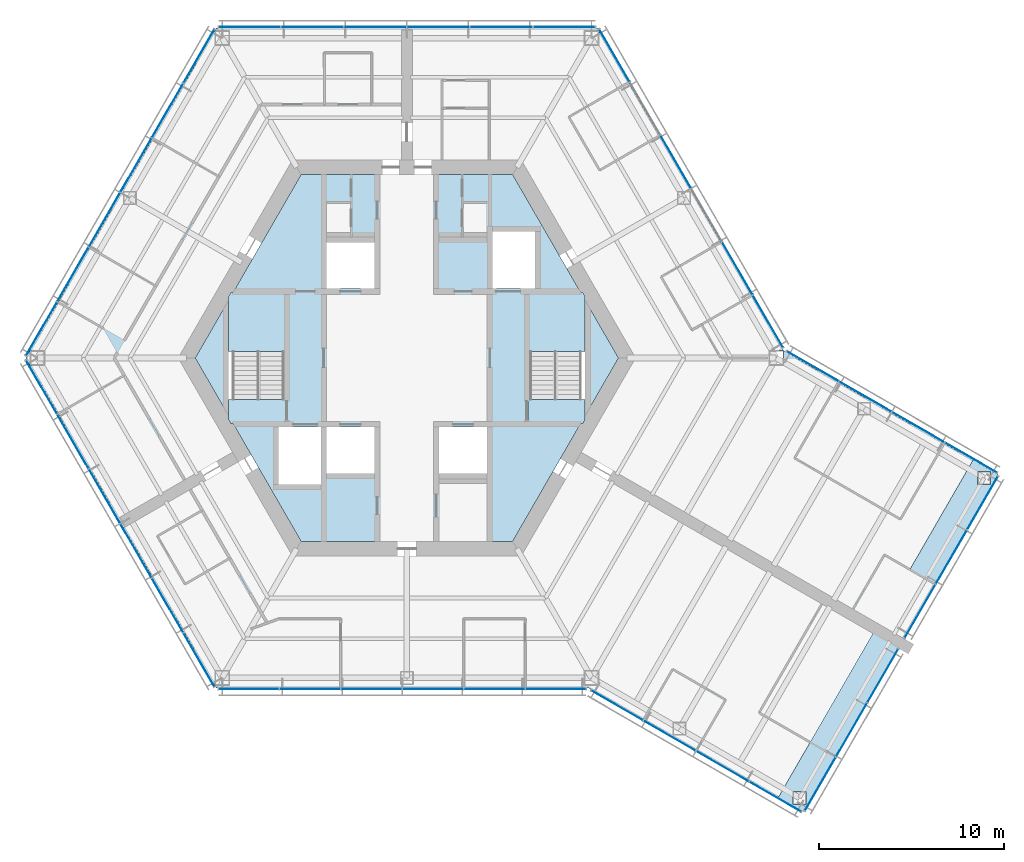
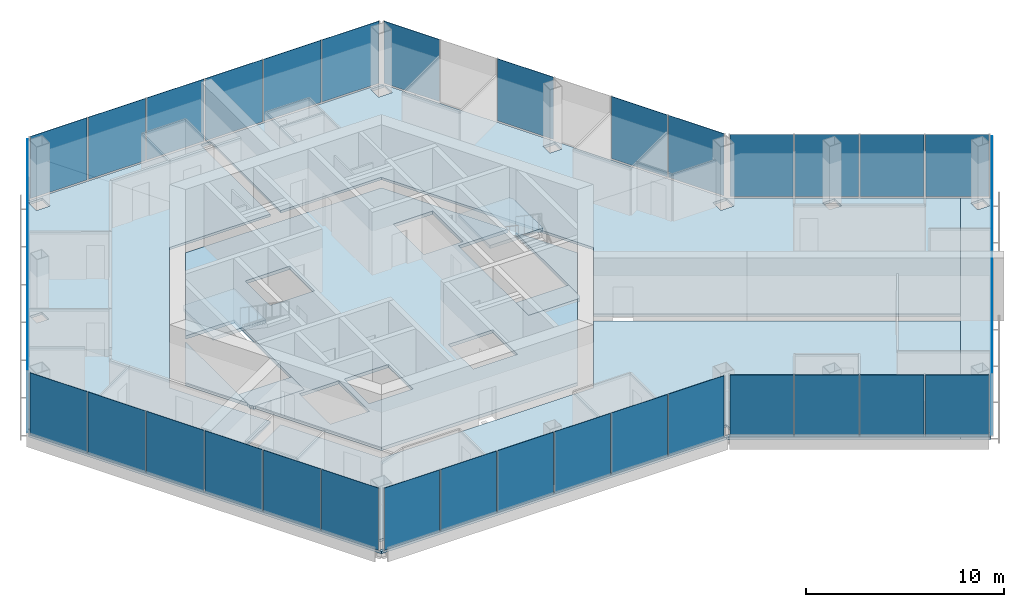
# One storey, part 8 of 16: 42 plates, 9 slabs, 11 elements without a shape of their own.
"""IFC4 building model written with IfcOpenShell, lengths in metres."""

from ifc_helpers import new_model, si_unit, direction, frame, origin, origin_2d, place, context, subcontext, project, spatial, polyline, rectangle, outline, extrude, material, layer, layer_set, type_object, element, aggregate, save


model = new_model("IFC4")

# Units and contexts
model_context = context("Model", 3, precision=1e-05, world=origin(), true_north=direction((0.0, 1.0)))
body_context = subcontext(model_context, "Body", "Model", "MODEL_VIEW")
ifc_project = project(units=[si_unit("LENGTHUNIT", "METRE"), si_unit("AREAUNIT", "SQUARE_METRE"), si_unit("VOLUMEUNIT", "CUBIC_METRE"), si_unit("PLANEANGLEUNIT", "RADIAN"), si_unit("MASSUNIT", "GRAM", prefix="KILO")], contexts=[model_context])

# Site, building, storey
site_placement = place(None, origin())
site = spatial("IfcSite", under=ifc_project, at=site_placement, CompositionType="ELEMENT")
building_placement = place(site_placement, origin())
building = spatial("IfcBuilding", under=site, at=building_placement, Name="Kasaneha Research Tower", CompositionType="ELEMENT")
storey_placement = place(building_placement, frame((0.0, 0.0, 247.89990234375)))
storey = spatial("IfcBuildingStorey", under=building, at=storey_placement, Name="L62", CompositionType="ELEMENT", Elevation=247.89990234375)

# Curtain wall, plates
ifc_material_1 = material(Name="Glass and aluminium", Category="aluminium")
curtain_wall_type = type_object("IfcCurtainWallType", Name="High-rise office curtain wall", PredefinedType="USERDEFINED", material=ifc_material_1)
curtain_wall_1_placement = place(storey_placement, origin())
curtain_wall_1 = element("IfcCurtainWall", 1, at=curtain_wall_1_placement, inside=storey, type_object=curtain_wall_type, Name="CW-O3 L62 run 01a", ObjectType="UNITISED CURTAIN WALL", PredefinedType="USERDEFINED")
ifc_material_2 = material(Name="Laminated double glazing", Category="glass")
ifc_layer_1 = layer(ifc_material_2, 0.02392578125)
ifc_layer_set_1 = layer_set([ifc_layer_1], Name="CW-O3 glazed panel")
plate_type = type_object("IfcPlateType", Name="CW-O3 glazed panel", PredefinedType="CURTAIN_PANEL", material=ifc_layer_set_1)
plate_1_placement = place(storey_placement, frame((19.549072265625, 1.981201171875, 0.06005859375), z_axis=(0.0, 0.0, 1.0), x_axis=(-0.499999979232, 0.866025415775, 0.0)))
plate_1 = element("IfcPlate", 2, at=plate_1_placement, type_object=plate_type, Name="CW-O3 panel 1", PredefinedType="CURTAIN_PANEL", context=body_context, shape_type="SweptSolid", body=[
    extrude(rectangle(XDim=3.240966796875, YDim=0.02392578125, at=origin_2d()), origin(), (0.0, 0.0, 1.0), 3.840087890625),
])
plate_2_placement = place(storey_placement, frame((17.89111328125, 4.852783203125, 0.06005859375), z_axis=(0.0, 0.0, 1.0), x_axis=(-0.499999979232, 0.866025415775, 0.0)))
plate_2 = element("IfcPlate", 3, at=plate_2_placement, type_object=plate_type, Name="CW-O3 panel 2", PredefinedType="CURTAIN_PANEL", context=body_context, shape_type="SweptSolid", body=[
    extrude(rectangle(XDim=3.27099609375, YDim=0.02392578125, at=origin_2d()), origin(), (0.0, 0.0, 1.0), 3.840087890625),
])
plate_3_placement = place(storey_placement, frame((14.56005859375, 10.622314453125, 0.06005859375), z_axis=(0.0, 0.0, 1.0), x_axis=(-0.499999979232, 0.866025415775, 0.0)))
plate_3 = element("IfcPlate", 4, at=plate_3_placement, type_object=plate_type, Name="CW-O3 panel 4", PredefinedType="CURTAIN_PANEL", context=body_context, shape_type="SweptSolid", body=[
    extrude(rectangle(XDim=3.27099609375, YDim=0.02392578125, at=origin_2d()), origin(), (0.0, 0.0, 1.0), 3.840087890625),
])
plate_4_placement = place(storey_placement, frame((11.236572265625, 16.378662109375, 0.06005859375), z_axis=(0.0, 0.0, 1.0), x_axis=(-0.499999979232, 0.866025415775, 0.0)))
plate_4 = element("IfcPlate", 5, at=plate_4_placement, type_object=plate_type, Name="CW-O3 panel 6", PredefinedType="CURTAIN_PANEL", context=body_context, shape_type="SweptSolid", body=[
    extrude(rectangle(XDim=3.240966796875, YDim=0.02392578125, at=origin_2d()), origin(), (0.0, 0.0, 1.0), 3.840087890625),
])
aggregate(curtain_wall_1, [plate_1, plate_2, plate_3, plate_4])

curtain_wall_2_placement = place(storey_placement, origin())
curtain_wall_2 = element("IfcCurtainWall", 6, at=curtain_wall_2_placement, inside=storey, type_object=curtain_wall_type, Name="CW-O3 L62 run 02a", ObjectType="UNITISED CURTAIN WALL", PredefinedType="USERDEFINED")
plate_5_placement = place(storey_placement, frame((8.523681640625, 17.92041015625, 0.06005859375), z_axis=(0.0, 0.0, 1.0), x_axis=(-1.0, 0.0, 0.0)))
plate_5 = element("IfcPlate", 7, at=plate_5_placement, type_object=plate_type, Name="CW-O3 panel 1", PredefinedType="CURTAIN_PANEL", context=body_context, shape_type="SweptSolid", body=[
    extrude(rectangle(XDim=3.325439453125, YDim=0.02392578125, at=origin_2d()), origin(), (0.0, 0.0, 1.0), 3.840087890625),
])
plate_6_placement = place(storey_placement, frame((5.123291015625, 17.92041015625, 0.06005859375), z_axis=(0.0, 0.0, 1.0), x_axis=(-1.0, 0.0, 0.0)))
plate_6 = element("IfcPlate", 8, at=plate_6_placement, type_object=plate_type, Name="CW-O3 panel 2", PredefinedType="CURTAIN_PANEL", context=body_context, shape_type="SweptSolid", body=[
    extrude(rectangle(XDim=3.35546875, YDim=0.02392578125, at=origin_2d()), origin(), (0.0, 0.0, 1.0), 3.840087890625),
])
plate_7_placement = place(storey_placement, frame((1.707763671875, 17.92041015625, 0.06005859375), z_axis=(0.0, 0.0, 1.0), x_axis=(-1.0, 0.0, 0.0)))
plate_7 = element("IfcPlate", 9, at=plate_7_placement, type_object=plate_type, Name="CW-O3 panel 3", PredefinedType="CURTAIN_PANEL", context=body_context, shape_type="SweptSolid", body=[
    extrude(rectangle(XDim=3.35546875, YDim=0.02392578125, at=origin_2d()), origin(), (0.0, 0.0, 1.0), 3.840087890625),
])
plate_8_placement = place(storey_placement, frame((-1.707763671875, 17.92041015625, 0.06005859375), z_axis=(0.0, 0.0, 1.0), x_axis=(-1.0, 0.0, 0.0)))
plate_8 = element("IfcPlate", 10, at=plate_8_placement, type_object=plate_type, Name="CW-O3 panel 4", PredefinedType="CURTAIN_PANEL", context=body_context, shape_type="SweptSolid", body=[
    extrude(rectangle(XDim=3.35546875, YDim=0.02392578125, at=origin_2d()), origin(), (0.0, 0.0, 1.0), 3.840087890625),
])
plate_9_placement = place(storey_placement, frame((-5.123291015625, 17.92041015625, 0.06005859375), z_axis=(0.0, 0.0, 1.0), x_axis=(-1.0, 0.0, 0.0)))
plate_9 = element("IfcPlate", 11, at=plate_9_placement, type_object=plate_type, Name="CW-O3 panel 5", PredefinedType="CURTAIN_PANEL", context=body_context, shape_type="SweptSolid", body=[
    extrude(rectangle(XDim=3.35546875, YDim=0.02392578125, at=origin_2d()), origin(), (0.0, 0.0, 1.0), 3.840087890625),
])
plate_10_placement = place(storey_placement, frame((-8.523681640625, 17.92041015625, 0.06005859375), z_axis=(0.0, 0.0, 1.0), x_axis=(-1.0, 0.0, 0.0)))
plate_10 = element("IfcPlate", 12, at=plate_10_placement, type_object=plate_type, Name="CW-O3 panel 6", PredefinedType="CURTAIN_PANEL", context=body_context, shape_type="SweptSolid", body=[
    extrude(rectangle(XDim=3.325439453125, YDim=0.02392578125, at=origin_2d()), origin(), (0.0, 0.0, 1.0), 3.840087890625),
])
aggregate(curtain_wall_2, [plate_5, plate_6, plate_7, plate_8, plate_9, plate_10])

curtain_wall_3_placement = place(storey_placement, origin())
curtain_wall_3 = element("IfcCurtainWall", 13, at=curtain_wall_3_placement, inside=storey, type_object=curtain_wall_type, Name="CW-O3 L62 run 03a", ObjectType="UNITISED CURTAIN WALL", PredefinedType="USERDEFINED")
plate_11_placement = place(storey_placement, frame((-11.2578125, 16.342041015625, 0.06005859375), z_axis=(0.0, 0.0, 1.0), x_axis=(-0.499999995722, -0.866025406254, 0.0)))
plate_11 = element("IfcPlate", 14, at=plate_11_placement, type_object=plate_type, Name="CW-O3 panel 1", PredefinedType="CURTAIN_PANEL", context=body_context, shape_type="SweptSolid", body=[
    extrude(rectangle(XDim=3.325439453125, YDim=0.02392578125, at=origin_2d()), origin(), (0.0, 0.0, 1.0), 3.840087890625),
])
plate_12_placement = place(storey_placement, frame((-12.9580078125, 13.39697265625, 0.06005859375), z_axis=(0.0, 0.0, 1.0), x_axis=(-0.499999995722, -0.866025406254, 0.0)))
plate_12 = element("IfcPlate", 15, at=plate_12_placement, type_object=plate_type, Name="CW-O3 panel 2", PredefinedType="CURTAIN_PANEL", context=body_context, shape_type="SweptSolid", body=[
    extrude(rectangle(XDim=3.35546875, YDim=0.02392578125, at=origin_2d()), origin(), (0.0, 0.0, 1.0), 3.840087890625),
])
plate_13_placement = place(storey_placement, frame((-14.665771484375, 10.439208984375, 0.06005859375), z_axis=(0.0, 0.0, 1.0), x_axis=(-0.499999995722, -0.866025406254, 0.0)))
plate_13 = element("IfcPlate", 16, at=plate_13_placement, type_object=plate_type, Name="CW-O3 panel 3", PredefinedType="CURTAIN_PANEL", context=body_context, shape_type="SweptSolid", body=[
    extrude(rectangle(XDim=3.35546875, YDim=0.02392578125, at=origin_2d()), origin(), (0.0, 0.0, 1.0), 3.840087890625),
])
plate_14_placement = place(storey_placement, frame((-16.37353515625, 7.481201171875, 0.06005859375), z_axis=(0.0, 0.0, 1.0), x_axis=(-0.499999995722, -0.866025406254, 0.0)))
plate_14 = element("IfcPlate", 17, at=plate_14_placement, type_object=plate_type, Name="CW-O3 panel 4", PredefinedType="CURTAIN_PANEL", context=body_context, shape_type="SweptSolid", body=[
    extrude(rectangle(XDim=3.35546875, YDim=0.02392578125, at=origin_2d()), origin(), (0.0, 0.0, 1.0), 3.840087890625),
])
plate_15_placement = place(storey_placement, frame((-18.081298828125, 4.5234375, 0.06005859375), z_axis=(0.0, 0.0, 1.0), x_axis=(-0.499999995722, -0.866025406254, 0.0)))
plate_15 = element("IfcPlate", 18, at=plate_15_placement, type_object=plate_type, Name="CW-O3 panel 5", PredefinedType="CURTAIN_PANEL", context=body_context, shape_type="SweptSolid", body=[
    extrude(rectangle(XDim=3.35546875, YDim=0.02392578125, at=origin_2d()), origin(), (0.0, 0.0, 1.0), 3.840087890625),
])
plate_16_placement = place(storey_placement, frame((-19.781494140625, 1.57861328125, 0.06005859375), z_axis=(0.0, 0.0, 1.0), x_axis=(-0.499999995722, -0.866025406254, 0.0)))
plate_16 = element("IfcPlate", 19, at=plate_16_placement, type_object=plate_type, Name="CW-O3 panel 6", PredefinedType="CURTAIN_PANEL", context=body_context, shape_type="SweptSolid", body=[
    extrude(rectangle(XDim=3.325439453125, YDim=0.02392578125, at=origin_2d()), origin(), (0.0, 0.0, 1.0), 3.840087890625),
])
aggregate(curtain_wall_3, [plate_11, plate_12, plate_13, plate_14, plate_15, plate_16])

curtain_wall_4_placement = place(storey_placement, origin())
curtain_wall_4 = element("IfcCurtainWall", 20, at=curtain_wall_4_placement, inside=storey, type_object=curtain_wall_type, Name="CW-O3 L62 run 04a", ObjectType="UNITISED CURTAIN WALL", PredefinedType="USERDEFINED")
plate_17_placement = place(storey_placement, frame((-19.781494140625, -1.57861328125, 0.06005859375), z_axis=(0.0, 0.0, 1.0), x_axis=(0.499999995722, -0.866025406254, 0.0)))
plate_17 = element("IfcPlate", 21, at=plate_17_placement, type_object=plate_type, Name="CW-O3 panel 1", PredefinedType="CURTAIN_PANEL", context=body_context, shape_type="SweptSolid", body=[
    extrude(rectangle(XDim=3.325439453125, YDim=0.02392578125, at=origin_2d()), origin(), (0.0, 0.0, 1.0), 3.840087890625),
])
plate_18_placement = place(storey_placement, frame((-18.081298828125, -4.5234375, 0.06005859375), z_axis=(0.0, 0.0, 1.0), x_axis=(0.499999995722, -0.866025406254, 0.0)))
plate_18 = element("IfcPlate", 22, at=plate_18_placement, type_object=plate_type, Name="CW-O3 panel 2", PredefinedType="CURTAIN_PANEL", context=body_context, shape_type="SweptSolid", body=[
    extrude(rectangle(XDim=3.35546875, YDim=0.02392578125, at=origin_2d()), origin(), (0.0, 0.0, 1.0), 3.840087890625),
])
plate_19_placement = place(storey_placement, frame((-16.37353515625, -7.481201171875, 0.06005859375), z_axis=(0.0, 0.0, 1.0), x_axis=(0.499999995722, -0.866025406254, 0.0)))
plate_19 = element("IfcPlate", 23, at=plate_19_placement, type_object=plate_type, Name="CW-O3 panel 3", PredefinedType="CURTAIN_PANEL", context=body_context, shape_type="SweptSolid", body=[
    extrude(rectangle(XDim=3.35546875, YDim=0.02392578125, at=origin_2d()), origin(), (0.0, 0.0, 1.0), 3.840087890625),
])
plate_20_placement = place(storey_placement, frame((-14.665771484375, -10.439208984375, 0.06005859375), z_axis=(0.0, 0.0, 1.0), x_axis=(0.499999995722, -0.866025406254, 0.0)))
plate_20 = element("IfcPlate", 24, at=plate_20_placement, type_object=plate_type, Name="CW-O3 panel 4", PredefinedType="CURTAIN_PANEL", context=body_context, shape_type="SweptSolid", body=[
    extrude(rectangle(XDim=3.35546875, YDim=0.02392578125, at=origin_2d()), origin(), (0.0, 0.0, 1.0), 3.840087890625),
])
plate_21_placement = place(storey_placement, frame((-12.9580078125, -13.39697265625, 0.06005859375), z_axis=(0.0, 0.0, 1.0), x_axis=(0.499999995722, -0.866025406254, 0.0)))
plate_21 = element("IfcPlate", 25, at=plate_21_placement, type_object=plate_type, Name="CW-O3 panel 5", PredefinedType="CURTAIN_PANEL", context=body_context, shape_type="SweptSolid", body=[
    extrude(rectangle(XDim=3.35546875, YDim=0.02392578125, at=origin_2d()), origin(), (0.0, 0.0, 1.0), 3.840087890625),
])
plate_22_placement = place(storey_placement, frame((-11.2578125, -16.342041015625, 0.06005859375), z_axis=(0.0, 0.0, 1.0), x_axis=(0.499999995722, -0.866025406254, 0.0)))
plate_22 = element("IfcPlate", 26, at=plate_22_placement, type_object=plate_type, Name="CW-O3 panel 6", PredefinedType="CURTAIN_PANEL", context=body_context, shape_type="SweptSolid", body=[
    extrude(rectangle(XDim=3.325439453125, YDim=0.02392578125, at=origin_2d()), origin(), (0.0, 0.0, 1.0), 3.840087890625),
])
aggregate(curtain_wall_4, [plate_17, plate_18, plate_19, plate_20, plate_21, plate_22])

curtain_wall_5_placement = place(storey_placement, origin())
curtain_wall_5 = element("IfcCurtainWall", 27, at=curtain_wall_5_placement, inside=storey, type_object=curtain_wall_type, Name="CW-O3 L62 run 05a", ObjectType="UNITISED CURTAIN WALL", PredefinedType="USERDEFINED")
plate_23_placement = place(storey_placement, frame((-8.56591796875, -17.92041015625, 0.06005859375), z_axis=(0.0, 0.0, 1.0), x_axis=(1.0, 0.0, 0.0)))
plate_23 = element("IfcPlate", 28, at=plate_23_placement, type_object=plate_type, Name="CW-O3 panel 1", PredefinedType="CURTAIN_PANEL", context=body_context, shape_type="SweptSolid", body=[
    extrude(rectangle(XDim=3.240966796875, YDim=0.02392578125, at=origin_2d()), origin(), (0.0, 0.0, 1.0), 3.840087890625),
])
plate_24_placement = place(storey_placement, frame((-5.25, -17.92041015625, 0.06005859375), z_axis=(0.0, 0.0, 1.0), x_axis=(1.0, 0.0, 0.0)))
plate_24 = element("IfcPlate", 29, at=plate_24_placement, type_object=plate_type, Name="CW-O3 panel 2", PredefinedType="CURTAIN_PANEL", context=body_context, shape_type="SweptSolid", body=[
    extrude(rectangle(XDim=3.27099609375, YDim=0.02392578125, at=origin_2d()), origin(), (0.0, 0.0, 1.0), 3.840087890625),
])
plate_25_placement = place(storey_placement, frame((-1.9189453125, -17.92041015625, 0.06005859375), z_axis=(0.0, 0.0, 1.0), x_axis=(1.0, 0.0, 0.0)))
plate_25 = element("IfcPlate", 30, at=plate_25_placement, type_object=plate_type, Name="CW-O3 panel 3", PredefinedType="CURTAIN_PANEL", context=body_context, shape_type="SweptSolid", body=[
    extrude(rectangle(XDim=3.27099609375, YDim=0.02392578125, at=origin_2d()), origin(), (0.0, 0.0, 1.0), 3.840087890625),
])
plate_26_placement = place(storey_placement, frame((1.411865234375, -17.92041015625, 0.06005859375), z_axis=(0.0, 0.0, 1.0), x_axis=(1.0, 0.0, 0.0)))
plate_26 = element("IfcPlate", 31, at=plate_26_placement, type_object=plate_type, Name="CW-O3 panel 4", PredefinedType="CURTAIN_PANEL", context=body_context, shape_type="SweptSolid", body=[
    extrude(rectangle(XDim=3.27099609375, YDim=0.02392578125, at=origin_2d()), origin(), (0.0, 0.0, 1.0), 3.840087890625),
])
plate_27_placement = place(storey_placement, frame((4.742919921875, -17.92041015625, 0.06005859375), z_axis=(0.0, 0.0, 1.0), x_axis=(1.0, 0.0, 0.0)))
plate_27 = element("IfcPlate", 32, at=plate_27_placement, type_object=plate_type, Name="CW-O3 panel 5", PredefinedType="CURTAIN_PANEL", context=body_context, shape_type="SweptSolid", body=[
    extrude(rectangle(XDim=3.27099609375, YDim=0.02392578125, at=origin_2d()), origin(), (0.0, 0.0, 1.0), 3.840087890625),
])
plate_28_placement = place(storey_placement, frame((8.058837890625, -17.92041015625, 0.06005859375), z_axis=(0.0, 0.0, 1.0), x_axis=(1.0, 0.0, 0.0)))
plate_28 = element("IfcPlate", 33, at=plate_28_placement, type_object=plate_type, Name="CW-O3 panel 6", PredefinedType="CURTAIN_PANEL", context=body_context, shape_type="SweptSolid", body=[
    extrude(rectangle(XDim=3.240966796875, YDim=0.02392578125, at=origin_2d()), origin(), (0.0, 0.0, 1.0), 3.840087890625),
])
aggregate(curtain_wall_5, [plate_23, plate_24, plate_25, plate_26, plate_27, plate_28])

curtain_wall_6_placement = place(storey_placement, origin())
curtain_wall_6 = element("IfcCurtainWall", 34, at=curtain_wall_6_placement, inside=storey, type_object=curtain_wall_type, Name="CW-O3 L62 run 06a", ObjectType="UNITISED CURTAIN WALL", PredefinedType="USERDEFINED")
plate_29_placement = place(storey_placement, frame((11.3720703125, -18.805419921875, 0.06005859375), z_axis=(0.0, 0.0, 1.0), x_axis=(0.866025411464, -0.499999986699, 0.0)))
plate_29 = element("IfcPlate", 35, at=plate_29_placement, type_object=plate_type, Name="CW-O3 panel 1", PredefinedType="CURTAIN_PANEL", context=body_context, shape_type="SweptSolid", body=[
    extrude(rectangle(XDim=3.2197265625, YDim=0.02392578125, at=origin_2d()), origin(), (0.0, 0.0, 1.0), 3.840087890625),
])
plate_30_placement = place(storey_placement, frame((14.225341796875, -20.452880859375, 0.06005859375), z_axis=(0.0, 0.0, 1.0), x_axis=(0.866025411464, -0.499999986699, 0.0)))
plate_30 = element("IfcPlate", 36, at=plate_30_placement, type_object=plate_type, Name="CW-O3 panel 2", PredefinedType="CURTAIN_PANEL", context=body_context, shape_type="SweptSolid", body=[
    extrude(rectangle(XDim=3.249755859375, YDim=0.02392578125, at=origin_2d()), origin(), (0.0, 0.0, 1.0), 3.840087890625),
])
plate_31_placement = place(storey_placement, frame((17.091796875, -22.107666015625, 0.06005859375), z_axis=(0.0, 0.0, 1.0), x_axis=(0.866025411464, -0.499999986699, 0.0)))
plate_31 = element("IfcPlate", 37, at=plate_31_placement, type_object=plate_type, Name="CW-O3 panel 3", PredefinedType="CURTAIN_PANEL", context=body_context, shape_type="SweptSolid", body=[
    extrude(rectangle(XDim=3.249755859375, YDim=0.02392578125, at=origin_2d()), origin(), (0.0, 0.0, 1.0), 3.840087890625),
])
plate_32_placement = place(storey_placement, frame((19.945068359375, -23.755126953125, 0.06005859375), z_axis=(0.0, 0.0, 1.0), x_axis=(0.866025411464, -0.499999986699, 0.0)))
plate_32 = element("IfcPlate", 38, at=plate_32_placement, type_object=plate_type, Name="CW-O3 panel 4", PredefinedType="CURTAIN_PANEL", context=body_context, shape_type="SweptSolid", body=[
    extrude(rectangle(XDim=3.2197265625, YDim=0.02392578125, at=origin_2d()), origin(), (0.0, 0.0, 1.0), 3.840087890625),
])
aggregate(curtain_wall_6, [plate_29, plate_30, plate_31, plate_32])

curtain_wall_7_placement = place(storey_placement, origin())
curtain_wall_7 = element("IfcCurtainWall", 39, at=curtain_wall_7_placement, inside=storey, type_object=curtain_wall_type, Name="CW-O3 L62 run 07a", ObjectType="UNITISED CURTAIN WALL", PredefinedType="USERDEFINED")
plate_33_placement = place(storey_placement, frame((22.385498046875, -23.068359375, 0.06005859375), z_axis=(0.0, 0.0, 1.0), x_axis=(0.500000011442, 0.866025397178, 0.0)))
plate_33 = element("IfcPlate", 40, at=plate_33_placement, type_object=plate_type, Name="CW-O3 panel 1", PredefinedType="CURTAIN_PANEL", context=body_context, shape_type="SweptSolid", body=[
    extrude(rectangle(XDim=3.31005859375, YDim=0.02392578125, at=origin_2d()), origin(), (0.0, 0.0, 1.0), 3.840087890625),
])
plate_34_placement = place(storey_placement, frame((24.077880859375, -20.13671875, 0.06005859375), z_axis=(0.0, 0.0, 1.0), x_axis=(0.500000011442, 0.866025397178, 0.0)))
plate_34 = element("IfcPlate", 41, at=plate_34_placement, type_object=plate_type, Name="CW-O3 panel 2", PredefinedType="CURTAIN_PANEL", context=body_context, shape_type="SweptSolid", body=[
    extrude(rectangle(XDim=3.340087890625, YDim=0.02392578125, at=origin_2d()), origin(), (0.0, 0.0, 1.0), 3.840087890625),
])
plate_35_placement = place(storey_placement, frame((25.7705078125, -17.205322265625, 0.06005859375), z_axis=(0.0, 0.0, 1.0), x_axis=(0.500000011442, 0.866025397178, 0.0)))
plate_35 = element("IfcPlate", 42, at=plate_35_placement, type_object=plate_type, Name="CW-O3 panel 3", PredefinedType="CURTAIN_PANEL", context=body_context, shape_type="SweptSolid", body=[
    extrude(rectangle(XDim=3.31005859375, YDim=0.02392578125, at=origin_2d()), origin(), (0.0, 0.0, 1.0), 3.840087890625),
])
aggregate(curtain_wall_7, [plate_33, plate_34, plate_35])

curtain_wall_8_placement = place(storey_placement, origin())
curtain_wall_8 = element("IfcCurtainWall", 43, at=curtain_wall_8_placement, inside=storey, type_object=curtain_wall_type, Name="CW-O3 L62 run 08a", ObjectType="UNITISED CURTAIN WALL", PredefinedType="USERDEFINED")
plate_36_placement = place(storey_placement, frame((27.785400390625, -13.71533203125, 0.06005859375), z_axis=(0.0, 0.0, 1.0), x_axis=(0.500000011442, 0.866025397178, 0.0)))
plate_36 = element("IfcPlate", 44, at=plate_36_placement, type_object=plate_type, Name="CW-O3 panel 1", PredefinedType="CURTAIN_PANEL", context=body_context, shape_type="SweptSolid", body=[
    extrude(rectangle(XDim=3.31005859375, YDim=0.02392578125, at=origin_2d()), origin(), (0.0, 0.0, 1.0), 3.840087890625),
])
plate_37_placement = place(storey_placement, frame((29.47802734375, -10.78369140625, 0.06005859375), z_axis=(0.0, 0.0, 1.0), x_axis=(0.500000011442, 0.866025397178, 0.0)))
plate_37 = element("IfcPlate", 45, at=plate_37_placement, type_object=plate_type, Name="CW-O3 panel 2", PredefinedType="CURTAIN_PANEL", context=body_context, shape_type="SweptSolid", body=[
    extrude(rectangle(XDim=3.340087890625, YDim=0.02392578125, at=origin_2d()), origin(), (0.0, 0.0, 1.0), 3.840087890625),
])
plate_38_placement = place(storey_placement, frame((31.17041015625, -7.852294921875, 0.06005859375), z_axis=(0.0, 0.0, 1.0), x_axis=(0.500000011442, 0.866025397178, 0.0)))
plate_38 = element("IfcPlate", 46, at=plate_38_placement, type_object=plate_type, Name="CW-O3 panel 3", PredefinedType="CURTAIN_PANEL", context=body_context, shape_type="SweptSolid", body=[
    extrude(rectangle(XDim=3.31005859375, YDim=0.02392578125, at=origin_2d()), origin(), (0.0, 0.0, 1.0), 3.840087890625),
])
aggregate(curtain_wall_8, [plate_36, plate_37, plate_38])

curtain_wall_9_placement = place(storey_placement, origin())
curtain_wall_9 = element("IfcCurtainWall", 47, at=curtain_wall_9_placement, inside=storey, type_object=curtain_wall_type, Name="CW-O3 L62 run 09a", ObjectType="UNITISED CURTAIN WALL", PredefinedType="USERDEFINED")
plate_39_placement = place(storey_placement, frame((30.545166015625, -5.3955078125, 0.06005859375), z_axis=(0.0, 0.0, 1.0), x_axis=(-0.866025411464, 0.499999986699, 0.0)))
plate_39 = element("IfcPlate", 48, at=plate_39_placement, type_object=plate_type, Name="CW-O3 panel 1", PredefinedType="CURTAIN_PANEL", context=body_context, shape_type="SweptSolid", body=[
    extrude(rectangle(XDim=3.2197265625, YDim=0.02392578125, at=origin_2d()), origin(), (0.0, 0.0, 1.0), 3.840087890625),
])
plate_40_placement = place(storey_placement, frame((27.69189453125, -3.748046875, 0.06005859375), z_axis=(0.0, 0.0, 1.0), x_axis=(-0.866025411464, 0.499999986699, 0.0)))
plate_40 = element("IfcPlate", 49, at=plate_40_placement, type_object=plate_type, Name="CW-O3 panel 2", PredefinedType="CURTAIN_PANEL", context=body_context, shape_type="SweptSolid", body=[
    extrude(rectangle(XDim=3.249755859375, YDim=0.02392578125, at=origin_2d()), origin(), (0.0, 0.0, 1.0), 3.840087890625),
])
plate_41_placement = place(storey_placement, frame((24.825439453125, -2.093017578125, 0.06005859375), z_axis=(0.0, 0.0, 1.0), x_axis=(-0.866025411464, 0.499999986699, 0.0)))
plate_41 = element("IfcPlate", 50, at=plate_41_placement, type_object=plate_type, Name="CW-O3 panel 3", PredefinedType="CURTAIN_PANEL", context=body_context, shape_type="SweptSolid", body=[
    extrude(rectangle(XDim=3.249755859375, YDim=0.02392578125, at=origin_2d()), origin(), (0.0, 0.0, 1.0), 3.840087890625),
])
plate_42_placement = place(storey_placement, frame((21.971923828125, -0.44580078125, 0.06005859375), z_axis=(0.0, 0.0, 1.0), x_axis=(-0.866025411464, 0.499999986699, 0.0)))
plate_42 = element("IfcPlate", 51, at=plate_42_placement, type_object=plate_type, Name="CW-O3 panel 4", PredefinedType="CURTAIN_PANEL", context=body_context, shape_type="SweptSolid", body=[
    extrude(rectangle(XDim=3.2197265625, YDim=0.02392578125, at=origin_2d()), origin(), (0.0, 0.0, 1.0), 3.840087890625),
])
aggregate(curtain_wall_9, [plate_39, plate_40, plate_41, plate_42])

# Slabs
ifc_material_3 = material(Name="Concrete Fc24", Category="concrete")
ifc_layer_2 = layer(ifc_material_3, 0.199951171875)
ifc_layer_set_2 = layer_set([ifc_layer_2], Name="Core floor slab 200")
slab_type_1 = type_object("IfcSlabType", Name="Core floor slab 200", PredefinedType="FLOOR", material=ifc_layer_set_2)
slab_1_placement = place(storey_placement, frame((0.0, 0.0, -0.199951171875)))
element("IfcSlab", 52, at=slab_1_placement, inside=storey, type_object=slab_type_1, Name="Core slab L62", PredefinedType="FLOOR", context=body_context, shape_type="SweptSolid", body=[
    extrude(outline(polyline([(-11.46044921875, 0.0), (-9.64990234375, 3.1357421875), (-9.64990234375, -3.1357421875), (-11.46044921875, 0.0)])), origin(), (0.0, 0.0, 1.0), 0.199951171875),
])
slab_2_placement = place(storey_placement, frame((0.0, 0.0, -0.199951171875)))
element("IfcSlab", 53, at=slab_2_placement, inside=storey, type_object=slab_type_1, Name="Core slab L62", PredefinedType="FLOOR", context=body_context, shape_type="SweptSolid", body=[
    extrude(outline(polyline([(-5.730224609375, 9.925048828125), (5.730224609375, 9.925048828125), (9.410888671875, 3.550048828125), (6.550048828125, 3.550048828125), (6.550048828125, -3.550048828125), (9.410888671875, -3.550048828125), (5.730224609375, -9.925048828125), (-5.730224609375, -9.925048828125), (-9.410888671875, -3.550048828125), (-6.550048828125, -3.550048828125), (-6.550048828125, 3.550048828125), (-9.410888671875, 3.550048828125), (-5.730224609375, 9.925048828125)]), holes=[polyline([(-6.949951171875, -6.85009765625), (-4.64990234375, -6.85009765625), (-4.64990234375, -3.75), (-6.949951171875, -3.75), (-6.949951171875, -6.85009765625)]), polyline([(-4.35009765625, -3.75), (-4.35009765625, -6.25), (-1.75, -6.25), (-1.75, -3.75), (-4.35009765625, -3.75)]), polyline([(1.75, -3.75), (1.75, -6.25), (4.35009765625, -6.25), (4.35009765625, -3.75), (1.75, -3.75)]), polyline([(-4.35009765625, 6.25), (-4.35009765625, 3.75), (-1.75, 3.75), (-1.75, 6.25), (-4.35009765625, 6.25)]), polyline([(4.64990234375, 6.85009765625), (4.64990234375, 3.75), (6.949951171875, 3.75), (6.949951171875, 6.85009765625), (4.64990234375, 6.85009765625)])]), origin(), (0.0, 0.0, 1.0), 0.199951171875),
])
slab_3_placement = place(storey_placement, frame((0.0, 0.0, -0.199951171875)))
element("IfcSlab", 54, at=slab_3_placement, inside=storey, type_object=slab_type_1, Name="Core slab L62", PredefinedType="FLOOR", context=body_context, shape_type="SweptSolid", body=[
    extrude(outline(polyline([(11.46044921875, 0.0), (9.64990234375, -3.1357421875), (9.64990234375, 3.1357421875), (11.46044921875, 0.0)])), origin(), (0.0, 0.0, 1.0), 0.199951171875),
])
ifc_material_4 = material(Name="Concrete Fc24", Category="concrete")
ifc_layer_3 = layer(ifc_material_4, 0.14990234375)
ifc_layer_set_3 = layer_set([ifc_layer_3], Name="Floor slab 150")
slab_type_2 = type_object("IfcSlabType", Name="Floor slab 150", PredefinedType="FLOOR", material=ifc_layer_set_3)
slab_4_placement = place(storey_placement, frame((0.0, 0.0, -0.14990234375)))
element("IfcSlab", 55, at=slab_4_placement, inside=storey, type_object=slab_type_2, Name="Floor slab L62 1", PredefinedType="FLOOR", context=body_context, shape_type="SweptSolid", body=[
    extrude(outline(polyline([(-10.317626953125, -17.87060546875), (-10.3974609375, -17.732177734375), (-10.385986328125, -17.720703125), (-9.599853515625, -17.720703125), (-9.599853515625, -16.92041015625), (-10.400146484375, -16.92041015625), (-10.400146484375, -17.70654296875), (-10.40771484375, -17.714111328125), (-20.635009765625, 0.0), (-20.40771484375, 0.3935546875), (-20.400146484375, 0.385986328125), (-20.400146484375, -0.400146484375), (-19.599853515625, -0.400146484375), (-19.599853515625, 0.400146484375), (-20.385986328125, 0.400146484375), (-20.3974609375, 0.41162109375), (-10.40771484375, 17.714111328125), (-10.400146484375, 17.70654296875), (-10.400146484375, 16.92041015625), (-9.599853515625, 16.92041015625), (-9.599853515625, 17.720703125), (-10.385986328125, 17.720703125), (-10.3974609375, 17.732177734375), (-10.317626953125, 17.87060546875), (10.317626953125, 17.87060546875), (10.3974609375, 17.732177734375), (10.385986328125, 17.720703125), (9.599853515625, 17.720703125), (9.599853515625, 16.92041015625), (10.400146484375, 16.92041015625), (10.400146484375, 17.70654296875), (10.40771484375, 17.714111328125), (20.3974609375, 0.41162109375), (20.385986328125, 0.400146484375), (19.599853515625, 0.400146484375), (19.599853515625, -0.400146484375), (20.400146484375, -0.400146484375), (20.400146484375, 0.385986328125), (20.41162109375, 0.3974609375), (30.65869140625, -5.518798828125), (25.53369140625, -14.3955078125), (9.438232421875, -5.102783203125), (12.38427734375, 0.0), (6.192138671875, 10.72509765625), (0.300048828125, 10.72509765625), (0.300048828125, 17.7705078125), (-0.300048828125, 17.7705078125), (-0.300048828125, 10.72509765625), (-6.192138671875, 10.72509765625), (-12.38427734375, 0.0), (-9.438232421875, -5.102783203125), (-15.539794921875, -8.62548828125), (-15.23974609375, -9.14501953125), (-9.13818359375, -5.622314453125), (-6.192138671875, -10.72509765625), (6.192138671875, -10.72509765625), (9.13818359375, -5.622314453125), (25.233642578125, -14.9150390625), (20.108642578125, -23.791748046875), (9.8525390625, -17.87060546875), (-10.317626953125, -17.87060546875)]), holes=[polyline([(-0.35009765625, -17.67041015625), (0.35009765625, -17.67041015625), (0.35009765625, -16.970458984375), (-0.35009765625, -16.970458984375), (-0.35009765625, -17.67041015625)]), polyline([(-15.35009765625, 8.310302734375), (-14.64990234375, 8.310302734375), (-14.64990234375, 9.01025390625), (-15.35009765625, 9.01025390625), (-15.35009765625, 8.310302734375)]), polyline([(14.4130859375, -20.42041015625), (15.113037109375, -20.42041015625), (15.113037109375, -19.720458984375), (14.4130859375, -19.720458984375), (14.4130859375, -20.42041015625)]), polyline([(9.60009765625, -17.720458984375), (10.39990234375, -17.720458984375), (10.39990234375, -16.92041015625), (9.60009765625, -16.92041015625), (9.60009765625, -17.720458984375)]), polyline([(24.4130859375, -3.10009765625), (25.113037109375, -3.10009765625), (25.113037109375, -2.39990234375), (24.4130859375, -2.39990234375), (24.4130859375, -3.10009765625)]), polyline([(14.64990234375, 9.01025390625), (14.64990234375, 8.310302734375), (15.35009765625, 8.310302734375), (15.35009765625, 9.01025390625), (14.64990234375, 9.01025390625)])]), origin(), (0.0, 0.0, 1.0), 0.14990234375),
])
slab_5_placement = place(storey_placement, frame((0.0, 0.0, -0.14990234375)))
element("IfcSlab", 56, at=slab_5_placement, inside=storey, type_object=slab_type_2, Name="Floor slab L62 2", PredefinedType="FLOOR", context=body_context, shape_type="SweptSolid", body=[
    extrude(outline(polyline([(32.009521484375, -6.298583984375), (21.459716796875, -24.57177734375), (20.108642578125, -23.791748046875), (25.233642578125, -14.9150390625), (25.2421875, -14.920166015625), (25.542236328125, -14.400390625), (25.53369140625, -14.3955078125), (30.65869140625, -5.518798828125), (32.009521484375, -6.298583984375)]), holes=[polyline([(20.908447265625, -24.17041015625), (21.6083984375, -24.17041015625), (21.6083984375, -23.470458984375), (20.908447265625, -23.470458984375), (20.908447265625, -24.17041015625)]), polyline([(30.908447265625, -6.85009765625), (31.6083984375, -6.85009765625), (31.6083984375, -6.14990234375), (30.908447265625, -6.14990234375), (30.908447265625, -6.85009765625)])]), origin(), (0.0, 0.0, 1.0), 0.14990234375),
])

# Stair, slabs
ifc_material_5 = material(Name="Concrete Fc24", Category="concrete")
stair_type = type_object("IfcStairType", Name="Half-turn stair 22 risers", PredefinedType="HALF_TURN_STAIR", material=ifc_material_5)
stair_1_placement = place(storey_placement, origin())
stair_1 = element("IfcStair", 57, at=stair_1_placement, inside=storey, type_object=stair_type, Name="Stair 1 L62", PredefinedType="HALF_TURN_STAIR")
ifc_material_6 = material(Name="Concrete Fc24", Category="concrete")
ifc_layer_4 = layer(ifc_material_6, 0.199951171875)
ifc_layer_set_4 = layer_set([ifc_layer_4], Name="Stair 1 landing 200")
slab_type_3 = type_object("IfcSlabType", Name="Stair 1 landing 200", PredefinedType="LANDING", material=ifc_layer_set_4)
slab_6_placement = place(storey_placement, frame((0.0, 0.0, -0.199951171875)))
slab_6 = element("IfcSlab", 58, at=slab_6_placement, type_object=slab_type_3, Name="ST1-22R landing 1", PredefinedType="LANDING", context=body_context, shape_type="SweptSolid", body=[
    extrude(outline(polyline([(9.5263671875, -3.550048828125), (6.550048828125, -3.550048828125), (6.550048828125, -2.25), (9.64990234375, -2.25), (9.64990234375, -3.335693359375), (9.5263671875, -3.550048828125)])), origin(), (0.0, 0.0, 1.0), 0.199951171875),
])
slab_7_placement = place(storey_placement, frame((0.0, 0.0, 1.75)))
slab_7 = element("IfcSlab", 59, at=slab_7_placement, type_object=slab_type_3, Name="ST1-22R landing 2", PredefinedType="LANDING", context=body_context, shape_type="SweptSolid", body=[
    extrude(outline(polyline([(6.550048828125, 3.550048828125), (9.5263671875, 3.550048828125), (9.64990234375, 3.335693359375), (9.64990234375, 0.35009765625), (6.550048828125, 0.35009765625), (6.550048828125, 3.550048828125)])), origin(), (0.0, 0.0, 1.0), 0.2001953125),
])
aggregate(stair_1, [slab_6, slab_7])

stair_2_placement = place(storey_placement, origin())
stair_2 = element("IfcStair", 60, at=stair_2_placement, inside=storey, type_object=stair_type, Name="Stair 2 L62", PredefinedType="HALF_TURN_STAIR")
ifc_material_7 = material(Name="Concrete Fc24", Category="concrete")
ifc_layer_5 = layer(ifc_material_7, 0.199951171875)
ifc_layer_set_5 = layer_set([ifc_layer_5], Name="Stair 2 landing 200")
slab_type_4 = type_object("IfcSlabType", Name="Stair 2 landing 200", PredefinedType="LANDING", material=ifc_layer_set_5)
slab_8_placement = place(storey_placement, frame((0.0, 0.0, -0.199951171875)))
slab_8 = element("IfcSlab", 61, at=slab_8_placement, type_object=slab_type_4, Name="ST2-22R landing 1", PredefinedType="LANDING", context=body_context, shape_type="SweptSolid", body=[
    extrude(outline(polyline([(-6.550048828125, -3.550048828125), (-9.5263671875, -3.550048828125), (-9.64990234375, -3.335693359375), (-9.64990234375, -2.25), (-6.550048828125, -2.25), (-6.550048828125, -3.550048828125)])), origin(), (0.0, 0.0, 1.0), 0.199951171875),
])
slab_9_placement = place(storey_placement, frame((0.0, 0.0, 1.75)))
slab_9 = element("IfcSlab", 62, at=slab_9_placement, type_object=slab_type_4, Name="ST2-22R landing 2", PredefinedType="LANDING", context=body_context, shape_type="SweptSolid", body=[
    extrude(outline(polyline([(-6.550048828125, 0.35009765625), (-9.64990234375, 0.35009765625), (-9.64990234375, 3.335693359375), (-9.5263671875, 3.550048828125), (-6.550048828125, 3.550048828125), (-6.550048828125, 0.35009765625)])), origin(), (0.0, 0.0, 1.0), 0.2001953125),
])
aggregate(stair_2, [slab_8, slab_9])

save(model, "model.ifc")
